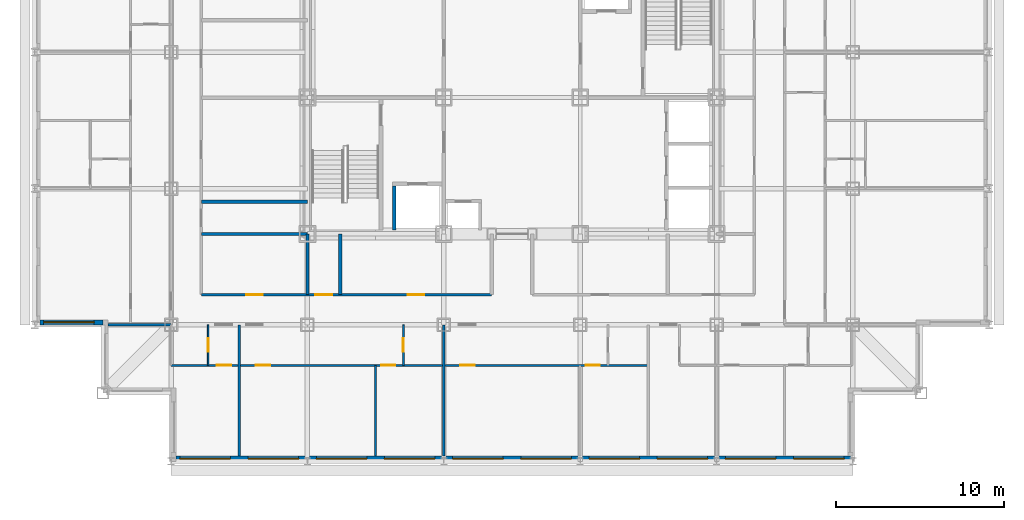
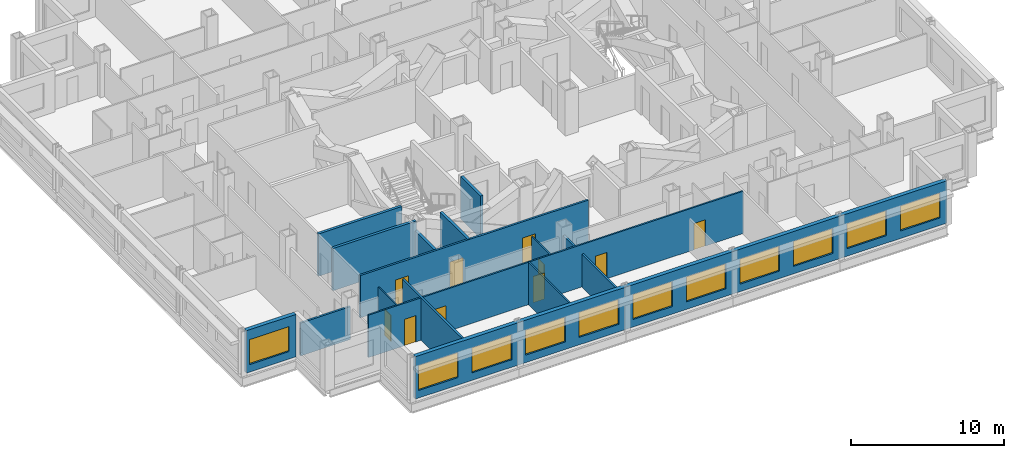
# One storey, part 4 of 12: 15 walls, 11 windows, 10 doors, 21 openings.
"""IFC4 building model written with IfcOpenShell, lengths in metres."""

from ifc_helpers import new_model, si_unit, direction, frame, frame_2d, origin, place, context, subcontext, project, spatial, rectangle, extrude, material, layer, layer_set, type_object, element, fill, save


model = new_model("IFC4")

# Units and contexts
model_context = context("Model", 3, precision=1e-05, world=origin(), true_north=direction((0.0, 1.0)))
body_context = subcontext(model_context, "Body", "Model", "MODEL_VIEW")
ifc_project = project(units=[si_unit("LENGTHUNIT", "METRE"), si_unit("AREAUNIT", "SQUARE_METRE"), si_unit("VOLUMEUNIT", "CUBIC_METRE"), si_unit("PLANEANGLEUNIT", "RADIAN"), si_unit("MASSUNIT", "GRAM", prefix="KILO")], contexts=[model_context])

# Site, building, storey
site_placement = place(None, origin())
site = spatial("IfcSite", under=ifc_project, at=site_placement, CompositionType="ELEMENT")
building_placement = place(site_placement, origin())
building = spatial("IfcBuilding", under=site, at=building_placement, Name="Kopane Lantern Tower", CompositionType="ELEMENT")
storey_placement = place(building_placement, frame((0.0, 0.0, 224.39990234375)))
storey = spatial("IfcBuildingStorey", under=building, at=storey_placement, Name="L58", CompositionType="ELEMENT", Elevation=224.39990234375)

# Wall
ifc_material_1 = material(Name="Gypsum board on steel studs", Category="steel")
ifc_layer_1 = layer(ifc_material_1, 0.1201171875)
ifc_layer_set_1 = layer_set([ifc_layer_1], Name="APARTMENT INTERNAL WALL 120")
wall_type_1 = type_object("IfcWallType", Name="APARTMENT INTERNAL WALL 120", PredefinedType="PARTITIONING", material=ifc_layer_set_1)
wall_1_placement = place(storey_placement, frame((20.25, 16.5, 0.0), z_axis=(0.0, 0.0, 1.0), x_axis=(0.0, -1.0, 0.0)))
element("IfcWall", 1, at=wall_1_placement, inside=storey, type_object=wall_type_1, Name="Apartment Internal Wall 120 L58", PredefinedType="PARTITIONING", context=body_context, shape_type="SweptSolid", body=[
    extrude(rectangle(XDim=5.39990234375, YDim=0.1201171875, at=frame_2d((2.699951171875, 0.0))), origin(), (0.0, 0.0, 1.0), 3.39013671875),
])

# Wall, openings, doors
wall_2_placement = place(storey_placement, frame((8.10009765625, 16.5, 0.0), z_axis=(0.0, 0.0, 1.0), x_axis=(1.0, 0.0, 0.0)))
wall_2 = element("IfcWall", 2, at=wall_2_placement, inside=storey, type_object=wall_type_1, Name="Apartment Internal Wall 120 L58", PredefinedType="PARTITIONING", context=body_context, shape_type="SweptSolid", body=[
    extrude(rectangle(XDim=28.349853515625, YDim=0.1201171875, at=frame_2d((14.1748046875, 0.0))), origin(), (0.0, 0.0, 1.0), 3.39013671875),
])
opening_1_placement = place(wall_2_placement, frame((5.02490234375, 0.0, 0.0)))
opening_1 = element("IfcOpeningElement", 3, at=opening_1_placement, cuts=wall_2, Name="Opening L58-014", PredefinedType="OPENING", context=body_context, shape_type="SweptSolid", body=[
    extrude(rectangle(XDim=0.85009765625, YDim=2.10009765625, at=frame_2d((0.425048828125, 1.050048828125))), frame((0.0, 0.070068359375, 0.0), z_axis=(0.0, -1.0, 0.0), x_axis=(1.0, 0.0, 0.0)), (0.0, 0.0, 1.0), 0.14013671875),
])
opening_2_placement = place(wall_2_placement, frame((12.47509765625, 0.0, 0.0)))
opening_2 = element("IfcOpeningElement", 4, at=opening_2_placement, cuts=wall_2, Name="Opening L58-015", PredefinedType="OPENING", context=body_context, shape_type="SweptSolid", body=[
    extrude(rectangle(XDim=0.85009765625, YDim=2.10009765625, at=frame_2d((0.425048828125, 1.050048828125))), frame((0.0, 0.070068359375, 0.0), z_axis=(0.0, -1.0, 0.0), x_axis=(1.0, 0.0, 0.0)), (0.0, 0.0, 1.0), 0.14013671875),
])
opening_3_placement = place(wall_2_placement, frame((17.175048828125, 0.0, 0.0)))
opening_3 = element("IfcOpeningElement", 5, at=opening_3_placement, cuts=wall_2, Name="Opening L58-018", PredefinedType="OPENING", context=body_context, shape_type="SweptSolid", body=[
    extrude(rectangle(XDim=0.85009765625, YDim=2.10009765625, at=frame_2d((0.425048828125, 1.050048828125))), frame((0.0, 0.070068359375, 0.0), z_axis=(0.0, -1.0, 0.0), x_axis=(1.0, 0.0, 0.0)), (0.0, 0.0, 1.0), 0.14013671875),
])
opening_4_placement = place(wall_2_placement, frame((24.625, 0.0, 0.0)))
opening_4 = element("IfcOpeningElement", 6, at=opening_4_placement, cuts=wall_2, Name="Opening L58-019", PredefinedType="OPENING", context=body_context, shape_type="SweptSolid", body=[
    extrude(rectangle(XDim=0.85009765625, YDim=2.10009765625, at=frame_2d((0.425048828125, 1.050048828125))), frame((0.0, 0.070068359375, 0.0), z_axis=(0.0, -1.0, 0.0), x_axis=(1.0, 0.0, 0.0)), (0.0, 0.0, 1.0), 0.14013671875),
])
opening_5_placement = place(wall_2_placement, frame((2.72509765625, 0.0, 0.0)))
opening_5 = element("IfcOpeningElement", 7, at=opening_5_placement, cuts=wall_2, Name="Opening L58-053", PredefinedType="OPENING", context=body_context, shape_type="SweptSolid", body=[
    extrude(rectangle(XDim=0.85009765625, YDim=2.10009765625, at=frame_2d((0.425048828125, 1.050048828125))), frame((0.0, 0.070068359375, 0.0), z_axis=(0.0, -1.0, 0.0), x_axis=(1.0, 0.0, 0.0)), (0.0, 0.0, 1.0), 0.14013671875),
])
ifc_material_2 = material(Name="Timber door set", Category="wood")
door_type_1 = type_object("IfcDoorType", Name="DOOR D4 850x2100", OperationType="SINGLE_SWING_LEFT", PredefinedType="DOOR", material=ifc_material_2)
door_1_placement = place(opening_1_placement, origin())
door_1 = element("IfcDoor", 8, at=door_1_placement, inside=storey, type_object=door_type_1, Name="Door L58-014", OperationType="SINGLE_SWING_LEFT", OverallHeight=2.10009765625, OverallWidth=0.85009765625, PredefinedType="DOOR", context=body_context, shape_type="SweptSolid", body=[
    extrude(rectangle(XDim=0.85009765625, YDim=2.10009765625, at=frame_2d((0.425048828125, 1.050048828125))), frame((0.0, 0.02490234375, 0.0), z_axis=(0.0, -1.0, 0.0), x_axis=(1.0, 0.0, 0.0)), (0.0, 0.0, 1.0), 0.050048828125),
])
fill(opening_1, door_1)
door_2_placement = place(opening_2_placement, origin())
door_2 = element("IfcDoor", 9, at=door_2_placement, inside=storey, type_object=door_type_1, Name="Door L58-015", OperationType="SINGLE_SWING_RIGHT", OverallHeight=2.10009765625, OverallWidth=0.85009765625, PredefinedType="DOOR", context=body_context, shape_type="SweptSolid", body=[
    extrude(rectangle(XDim=0.85009765625, YDim=2.10009765625, at=frame_2d((0.425048828125, 1.050048828125))), frame((0.0, 0.02490234375, 0.0), z_axis=(0.0, -1.0, 0.0), x_axis=(1.0, 0.0, 0.0)), (0.0, 0.0, 1.0), 0.050048828125),
])
fill(opening_2, door_2)
door_3_placement = place(opening_3_placement, origin())
door_3 = element("IfcDoor", 10, at=door_3_placement, inside=storey, type_object=door_type_1, Name="Door L58-018", OperationType="SINGLE_SWING_RIGHT", OverallHeight=2.10009765625, OverallWidth=0.85009765625, PredefinedType="DOOR", context=body_context, shape_type="SweptSolid", body=[
    extrude(rectangle(XDim=0.85009765625, YDim=2.10009765625, at=frame_2d((0.425048828125, 1.050048828125))), frame((0.0, 0.02490234375, 0.0), z_axis=(0.0, -1.0, 0.0), x_axis=(1.0, 0.0, 0.0)), (0.0, 0.0, 1.0), 0.050048828125),
])
fill(opening_3, door_3)
door_4_placement = place(opening_4_placement, origin())
door_4 = element("IfcDoor", 11, at=door_4_placement, inside=storey, type_object=door_type_1, Name="Door L58-019", OperationType="SINGLE_SWING_RIGHT", OverallHeight=2.10009765625, OverallWidth=0.85009765625, PredefinedType="DOOR", context=body_context, shape_type="SweptSolid", body=[
    extrude(rectangle(XDim=0.85009765625, YDim=2.10009765625, at=frame_2d((0.425048828125, 1.050048828125))), frame((0.0, 0.02490234375, 0.0), z_axis=(0.0, -1.0, 0.0), x_axis=(1.0, 0.0, 0.0)), (0.0, 0.0, 1.0), 0.050048828125),
])
fill(opening_4, door_4)
door_5_placement = place(opening_5_placement, origin())
door_5 = element("IfcDoor", 12, at=door_5_placement, inside=storey, type_object=door_type_1, Name="Door L58-053", OperationType="SINGLE_SWING_LEFT", OverallHeight=2.10009765625, OverallWidth=0.85009765625, PredefinedType="DOOR", context=body_context, shape_type="SweptSolid", body=[
    extrude(rectangle(XDim=0.85009765625, YDim=2.10009765625, at=frame_2d((0.425048828125, 1.050048828125))), frame((0.0, 0.02490234375, 0.0), z_axis=(0.0, -1.0, 0.0), x_axis=(1.0, 0.0, 0.0)), (0.0, 0.0, 1.0), 0.050048828125),
])
fill(opening_5, door_5)

# Wall, opening, door
ifc_material_3 = material(Name="Moisture-resistant board on steel studs", Category="steel")
ifc_layer_2 = layer(ifc_material_3, 0.10009765625)
ifc_layer_set_2 = layer_set([ifc_layer_2], Name="BATHROOM WALL 100")
wall_type_2 = type_object("IfcWallType", Name="BATHROOM WALL 100", PredefinedType="PARTITIONING", material=ifc_layer_set_2)
wall_3_placement = place(storey_placement, frame((21.89990234375, 18.89990234375, 0.0), z_axis=(0.0, 0.0, 1.0), x_axis=(0.0, -1.0, 0.0)))
wall_3 = element("IfcWall", 13, at=wall_3_placement, inside=storey, type_object=wall_type_2, Name="Bathroom Wall 100 L58", PredefinedType="PARTITIONING", context=body_context, shape_type="SweptSolid", body=[
    extrude(rectangle(XDim=2.39990234375, YDim=0.10009765625, at=frame_2d((1.199951171875, 0.0))), origin(), (0.0, 0.0, 1.0), 3.39013671875),
])
opening_6_placement = place(wall_3_placement, frame((0.800048828125, 0.0, 0.0)))
opening_6 = element("IfcOpeningElement", 14, at=opening_6_placement, cuts=wall_3, Name="Opening L58-012", PredefinedType="OPENING", context=body_context, shape_type="SweptSolid", body=[
    extrude(rectangle(XDim=0.800048828125, YDim=2.10009765625, at=frame_2d((0.39990234375, 1.050048828125))), frame((0.0, 0.06005859375, 0.0), z_axis=(0.0, -1.0, 0.0), x_axis=(1.0, 0.0, 0.0)), (0.0, 0.0, 1.0), 0.1201171875),
])
ifc_material_4 = material(Name="Timber door set", Category="wood")
door_type_2 = type_object("IfcDoorType", Name="DOOR D2 800x2100", OperationType="SINGLE_SWING_LEFT", PredefinedType="DOOR", material=ifc_material_4)
door_6_placement = place(opening_6_placement, origin())
door_6 = element("IfcDoor", 15, at=door_6_placement, inside=storey, type_object=door_type_2, Name="Door L58-012", OperationType="SINGLE_SWING_LEFT", OverallHeight=2.10009765625, OverallWidth=0.800048828125, PredefinedType="DOOR", context=body_context, shape_type="SweptSolid", body=[
    extrude(rectangle(XDim=0.800048828125, YDim=2.10009765625, at=frame_2d((0.39990234375, 1.050048828125))), frame((0.0, 0.02490234375, 0.0), z_axis=(0.0, -1.0, 0.0), x_axis=(1.0, 0.0, 0.0)), (0.0, 0.0, 1.0), 0.050048828125),
])
fill(opening_6, door_6)

wall_4_placement = place(storey_placement, frame((10.300048828125, 18.89990234375, 0.0), z_axis=(0.0, 0.0, 1.0), x_axis=(0.0, -1.0, 0.0)))
wall_4 = element("IfcWall", 16, at=wall_4_placement, inside=storey, type_object=wall_type_2, Name="Bathroom Wall 100 L58", PredefinedType="PARTITIONING", context=body_context, shape_type="SweptSolid", body=[
    extrude(rectangle(XDim=2.39990234375, YDim=0.10009765625, at=frame_2d((1.199951171875, 0.0))), origin(), (0.0, 0.0, 1.0), 3.39013671875),
])
opening_7_placement = place(wall_4_placement, frame((0.800048828125, 0.0, 0.0)))
opening_7 = element("IfcOpeningElement", 17, at=opening_7_placement, cuts=wall_4, Name="Opening L58-051", PredefinedType="OPENING", context=body_context, shape_type="SweptSolid", body=[
    extrude(rectangle(XDim=0.800048828125, YDim=2.10009765625, at=frame_2d((0.39990234375, 1.050048828125))), frame((0.0, 0.06005859375, 0.0), z_axis=(0.0, -1.0, 0.0), x_axis=(1.0, 0.0, 0.0)), (0.0, 0.0, 1.0), 0.1201171875),
])
door_7_placement = place(opening_7_placement, origin())
door_7 = element("IfcDoor", 18, at=door_7_placement, inside=storey, type_object=door_type_2, Name="Door L58-051", OperationType="SINGLE_SWING_RIGHT", OverallHeight=2.10009765625, OverallWidth=0.800048828125, PredefinedType="DOOR", context=body_context, shape_type="SweptSolid", body=[
    extrude(rectangle(XDim=0.800048828125, YDim=2.10009765625, at=frame_2d((0.39990234375, 1.050048828125))), frame((0.0, 0.02490234375, 0.0), z_axis=(0.0, -1.0, 0.0), x_axis=(1.0, 0.0, 0.0)), (0.0, 0.0, 1.0), 0.050048828125),
])
fill(opening_7, door_7)

# Wall, openings, doors
ifc_material_5 = material(Name="Gypsum board on steel studs", Category="steel")
ifc_layer_3 = layer(ifc_material_5, 0.14990234375)
ifc_layer_set_3 = layer_set([ifc_layer_3], Name="CORRIDOR WALL 150 EI 60")
wall_type_3 = type_object("IfcWallType", Name="CORRIDOR WALL 150 EI 60", PredefinedType="PARTITIONING", material=ifc_layer_set_3)
wall_5_placement = place(storey_placement, frame((9.89990234375, 20.699951171875, 0.0), z_axis=(0.0, 0.0, 1.0), x_axis=(1.0, 0.0, 0.0)))
wall_5 = element("IfcWall", 19, at=wall_5_placement, inside=storey, type_object=wall_type_3, Name="Corridor Wall 150 Ei 60 L58", PredefinedType="PARTITIONING", context=body_context, shape_type="SweptSolid", body=[
    extrude(rectangle(XDim=17.239990234375, YDim=0.14990234375, at=frame_2d((8.6201171875, 0.0))), origin(), (0.0, 0.0, 1.0), 3.39013671875),
])
opening_8_placement = place(wall_5_placement, frame((2.64990234375, 0.0, 0.0)))
opening_8 = element("IfcOpeningElement", 20, at=opening_8_placement, cuts=wall_5, Name="Opening L58-007", PredefinedType="OPENING", context=body_context, shape_type="SweptSolid", body=[
    extrude(rectangle(XDim=1.0, YDim=2.10009765625, at=frame_2d((0.5, 1.050048828125))), frame((0.0, 0.0849609375, 0.0), z_axis=(0.0, -1.0, 0.0), x_axis=(1.0, 0.0, 0.0)), (0.0, 0.0, 1.0), 0.169921875),
])
opening_9_placement = place(wall_5_placement, frame((6.772216796875, 0.0, 0.0)))
opening_9 = element("IfcOpeningElement", 21, at=opening_9_placement, cuts=wall_5, Name="Opening L58-008", PredefinedType="OPENING", context=body_context, shape_type="SweptSolid", body=[
    extrude(rectangle(XDim=1.0, YDim=2.10009765625, at=frame_2d((0.5, 1.050048828125))), frame((0.0, 0.0849609375, 0.0), z_axis=(0.0, -1.0, 0.0), x_axis=(1.0, 0.0, 0.0)), (0.0, 0.0, 1.0), 0.169921875),
])
opening_10_placement = place(wall_5_placement, frame((12.247314453125, 0.0, 0.0)))
opening_10 = element("IfcOpeningElement", 22, at=opening_10_placement, cuts=wall_5, Name="Opening L58-009", PredefinedType="OPENING", context=body_context, shape_type="SweptSolid", body=[
    extrude(rectangle(XDim=1.0, YDim=2.10009765625, at=frame_2d((0.5, 1.050048828125))), frame((0.0, 0.0849609375, 0.0), z_axis=(0.0, -1.0, 0.0), x_axis=(1.0, 0.0, 0.0)), (0.0, 0.0, 1.0), 0.169921875),
])
ifc_material_6 = material(Name="Steel door set", Category="steel")
door_type_3 = type_object("IfcDoorType", Name="DOOR D5 1000x2100 FD60", OperationType="SINGLE_SWING_LEFT", PredefinedType="DOOR", material=ifc_material_6)
door_8_placement = place(opening_8_placement, origin())
door_8 = element("IfcDoor", 23, at=door_8_placement, inside=storey, type_object=door_type_3, Name="Door L58-007", OperationType="SINGLE_SWING_LEFT", OverallHeight=2.10009765625, OverallWidth=1.0, PredefinedType="DOOR", context=body_context, shape_type="SweptSolid", body=[
    extrude(rectangle(XDim=1.0, YDim=2.10009765625, at=frame_2d((0.5, 1.050048828125))), frame((0.0, 0.02490234375, 0.0), z_axis=(0.0, -1.0, 0.0), x_axis=(1.0, 0.0, 0.0)), (0.0, 0.0, 1.0), 0.050048828125),
])
fill(opening_8, door_8)
door_9_placement = place(opening_9_placement, origin())
door_9 = element("IfcDoor", 24, at=door_9_placement, inside=storey, type_object=door_type_3, Name="Door L58-008", OperationType="SINGLE_SWING_RIGHT", OverallHeight=2.10009765625, OverallWidth=1.0, PredefinedType="DOOR", context=body_context, shape_type="SweptSolid", body=[
    extrude(rectangle(XDim=1.0, YDim=2.10009765625, at=frame_2d((0.5, 1.050048828125))), frame((0.0, 0.02490234375, 0.0), z_axis=(0.0, -1.0, 0.0), x_axis=(1.0, 0.0, 0.0)), (0.0, 0.0, 1.0), 0.050048828125),
])
fill(opening_9, door_9)
door_10_placement = place(opening_10_placement, origin())
door_10 = element("IfcDoor", 25, at=door_10_placement, inside=storey, type_object=door_type_3, Name="Door L58-009", OperationType="SINGLE_SWING_LEFT", OverallHeight=2.10009765625, OverallWidth=1.0, PredefinedType="DOOR", context=body_context, shape_type="SweptSolid", body=[
    extrude(rectangle(XDim=1.0, YDim=2.10009765625, at=frame_2d((0.5, 1.050048828125))), frame((0.0, 0.02490234375, 0.0), z_axis=(0.0, -1.0, 0.0), x_axis=(1.0, 0.0, 0.0)), (0.0, 0.0, 1.0), 0.050048828125),
])
fill(opening_10, door_10)

# Walls
ifc_material_7 = material(Name="Gypsum board on steel studs", Category="steel")
ifc_layer_4 = layer(ifc_material_7, 0.14990234375)
ifc_layer_set_4 = layer_set([ifc_layer_4], Name="DEMISING WALL 150 EI 60")
wall_type_4 = type_object("IfcWallType", Name="DEMISING WALL 150 EI 60", PredefinedType="PARTITIONING", material=ifc_layer_set_4)
wall_6_placement = place(storey_placement, frame((24.300048828125, 18.89990234375, 0.0), z_axis=(0.0, 0.0, 1.0), x_axis=(0.0, -1.0, 0.0)))
element("IfcWall", 26, at=wall_6_placement, inside=storey, type_object=wall_type_4, Name="Demising Wall 150 Ei 60 L58", PredefinedType="PARTITIONING", context=body_context, shape_type="SweptSolid", body=[
    extrude(rectangle(XDim=7.7998046875, YDim=0.14990234375, at=frame_2d((3.89990234375, 0.0))), origin(), (0.0, 0.0, 1.0), 2.6279296875),
])
wall_7_placement = place(storey_placement, frame((4.35009765625, 18.89990234375, 0.0), z_axis=(0.0, 0.0, 1.0), x_axis=(1.0, 0.0, 0.0)))
element("IfcWall", 27, at=wall_7_placement, inside=storey, type_object=wall_type_4, Name="Demising Wall 150 Ei 60 L58", PredefinedType="PARTITIONING", context=body_context, shape_type="SweptSolid", body=[
    extrude(rectangle(XDim=3.75, YDim=0.14990234375, at=frame_2d((1.875, 0.0))), origin(), (0.0, 0.0, 1.0), 2.6279296875),
])
wall_8_placement = place(storey_placement, frame((12.14990234375, 18.89990234375, 0.0), z_axis=(0.0, 0.0, 1.0), x_axis=(0.0, -1.0, 0.0)))
element("IfcWall", 28, at=wall_8_placement, inside=storey, type_object=wall_type_4, Name="Demising Wall 150 Ei 60 L58", PredefinedType="PARTITIONING", context=body_context, shape_type="SweptSolid", body=[
    extrude(rectangle(XDim=7.7998046875, YDim=0.14990234375, at=frame_2d((3.89990234375, 0.0))), origin(), (0.0, 0.0, 1.0), 3.39013671875),
])

# Wall, openings, windows
ifc_material_8 = material(Name="Terracotta rainscreen on light steel framing", Category="masonry")
ifc_layer_5 = layer(ifc_material_8, 0.300048828125)
ifc_layer_set_5 = layer_set([ifc_layer_5], Name="EXTERNAL WALL EW1 300 TERRACOTTA")
wall_type_5 = type_object("IfcWallType", Name="EXTERNAL WALL EW1 300 TERRACOTTA", PredefinedType="SOLIDWALL", material=ifc_layer_set_5)
wall_9_placement = place(storey_placement, frame((8.39990234375, 10.949951171875, 0.0), z_axis=(0.0, 0.0, 1.0), x_axis=(1.0, 0.0, 0.0)))
wall_9 = element("IfcWall", 29, at=wall_9_placement, inside=storey, type_object=wall_type_5, Name="External wall S L58", PredefinedType="SOLIDWALL", context=body_context, shape_type="SweptSolid", body=[
    extrude(rectangle(XDim=40.2001953125, YDim=0.300048828125, at=frame_2d((20.10009765625, 0.0))), origin(), (0.0, 0.0, 1.0), 3.39013671875),
])
opening_11_placement = place(wall_9_placement, frame((0.22509765625, 0.0, 0.60009765625)))
opening_11 = element("IfcOpeningElement", 30, at=opening_11_placement, cuts=wall_9, Name="Opening WR300200", PredefinedType="OPENING", context=body_context, shape_type="SweptSolid", body=[
    extrude(rectangle(XDim=3.0, YDim=2.0, at=frame_2d((1.5, 1.0))), frame((0.0, 0.159912109375, 0.0), z_axis=(0.0, -1.0, 0.0), x_axis=(1.0, 0.0, 0.0)), (0.0, 0.0, 1.0), 0.320068359375),
])
opening_12_placement = place(wall_9_placement, frame((4.27490234375, 0.0, 0.60009765625)))
opening_12 = element("IfcOpeningElement", 31, at=opening_12_placement, cuts=wall_9, Name="Opening WR300200", PredefinedType="OPENING", context=body_context, shape_type="SweptSolid", body=[
    extrude(rectangle(XDim=3.0, YDim=2.0, at=frame_2d((1.5, 1.0))), frame((0.0, 0.159912109375, 0.0), z_axis=(0.0, -1.0, 0.0), x_axis=(1.0, 0.0, 0.0)), (0.0, 0.0, 1.0), 0.320068359375),
])
opening_13_placement = place(wall_9_placement, frame((8.324951171875, 0.0, 0.60009765625)))
opening_13 = element("IfcOpeningElement", 32, at=opening_13_placement, cuts=wall_9, Name="Opening WR300200", PredefinedType="OPENING", context=body_context, shape_type="SweptSolid", body=[
    extrude(rectangle(XDim=3.0, YDim=2.0, at=frame_2d((1.5, 1.0))), frame((0.0, 0.159912109375, 0.0), z_axis=(0.0, -1.0, 0.0), x_axis=(1.0, 0.0, 0.0)), (0.0, 0.0, 1.0), 0.320068359375),
])
opening_14_placement = place(wall_9_placement, frame((12.375, 0.0, 0.60009765625)))
opening_14 = element("IfcOpeningElement", 33, at=opening_14_placement, cuts=wall_9, Name="Opening WR300200", PredefinedType="OPENING", context=body_context, shape_type="SweptSolid", body=[
    extrude(rectangle(XDim=3.0, YDim=2.0, at=frame_2d((1.5, 1.0))), frame((0.0, 0.159912109375, 0.0), z_axis=(0.0, -1.0, 0.0), x_axis=(1.0, 0.0, 0.0)), (0.0, 0.0, 1.0), 0.320068359375),
])
opening_15_placement = place(wall_9_placement, frame((16.425048828125, 0.0, 0.60009765625)))
opening_15 = element("IfcOpeningElement", 34, at=opening_15_placement, cuts=wall_9, Name="Opening WR300200", PredefinedType="OPENING", context=body_context, shape_type="SweptSolid", body=[
    extrude(rectangle(XDim=3.0, YDim=2.0, at=frame_2d((1.5, 1.0))), frame((0.0, 0.159912109375, 0.0), z_axis=(0.0, -1.0, 0.0), x_axis=(1.0, 0.0, 0.0)), (0.0, 0.0, 1.0), 0.320068359375),
])
opening_16_placement = place(wall_9_placement, frame((20.47509765625, 0.0, 0.60009765625)))
opening_16 = element("IfcOpeningElement", 35, at=opening_16_placement, cuts=wall_9, Name="Opening WR300200", PredefinedType="OPENING", context=body_context, shape_type="SweptSolid", body=[
    extrude(rectangle(XDim=3.0, YDim=2.0, at=frame_2d((1.5, 1.0))), frame((0.0, 0.159912109375, 0.0), z_axis=(0.0, -1.0, 0.0), x_axis=(1.0, 0.0, 0.0)), (0.0, 0.0, 1.0), 0.320068359375),
])
opening_17_placement = place(wall_9_placement, frame((24.52490234375, 0.0, 0.60009765625)))
opening_17 = element("IfcOpeningElement", 36, at=opening_17_placement, cuts=wall_9, Name="Opening WR300200", PredefinedType="OPENING", context=body_context, shape_type="SweptSolid", body=[
    extrude(rectangle(XDim=3.0, YDim=2.0, at=frame_2d((1.5, 1.0))), frame((0.0, 0.159912109375, 0.0), z_axis=(0.0, -1.0, 0.0), x_axis=(1.0, 0.0, 0.0)), (0.0, 0.0, 1.0), 0.320068359375),
])
opening_18_placement = place(wall_9_placement, frame((28.574951171875, 0.0, 0.60009765625)))
opening_18 = element("IfcOpeningElement", 37, at=opening_18_placement, cuts=wall_9, Name="Opening WR300200", PredefinedType="OPENING", context=body_context, shape_type="SweptSolid", body=[
    extrude(rectangle(XDim=3.0, YDim=2.0, at=frame_2d((1.5, 1.0))), frame((0.0, 0.159912109375, 0.0), z_axis=(0.0, -1.0, 0.0), x_axis=(1.0, 0.0, 0.0)), (0.0, 0.0, 1.0), 0.320068359375),
])
opening_19_placement = place(wall_9_placement, frame((32.625, 0.0, 0.60009765625)))
opening_19 = element("IfcOpeningElement", 38, at=opening_19_placement, cuts=wall_9, Name="Opening WR300200", PredefinedType="OPENING", context=body_context, shape_type="SweptSolid", body=[
    extrude(rectangle(XDim=3.0, YDim=2.0, at=frame_2d((1.5, 1.0))), frame((0.0, 0.159912109375, 0.0), z_axis=(0.0, -1.0, 0.0), x_axis=(1.0, 0.0, 0.0)), (0.0, 0.0, 1.0), 0.320068359375),
])
opening_20_placement = place(wall_9_placement, frame((36.675048828125, 0.0, 0.60009765625)))
opening_20 = element("IfcOpeningElement", 39, at=opening_20_placement, cuts=wall_9, Name="Opening WR300200", PredefinedType="OPENING", context=body_context, shape_type="SweptSolid", body=[
    extrude(rectangle(XDim=3.0, YDim=2.0, at=frame_2d((1.5, 1.0))), frame((0.0, 0.159912109375, 0.0), z_axis=(0.0, -1.0, 0.0), x_axis=(1.0, 0.0, 0.0)), (0.0, 0.0, 1.0), 0.320068359375),
])
ifc_material_9 = material(Name="Aluminium and clear glass", Category="aluminium")
window_type = type_object("IfcWindowType", Name="RIBBON WINDOW WR300200 3000x2000", PartitioningType="SINGLE_PANEL", PredefinedType="WINDOW", material=ifc_material_9)
window_1_placement = place(opening_11_placement, origin())
window_1 = element("IfcWindow", 40, at=window_1_placement, inside=storey, type_object=window_type, Name="Window S L58", OverallHeight=2.0, OverallWidth=3.0, PartitioningType="SINGLE_PANEL", PredefinedType="WINDOW", context=body_context, shape_type="SweptSolid", body=[
    extrude(rectangle(XDim=3.0, YDim=2.0, at=frame_2d((1.5, 1.0))), frame((0.0, 0.030029296875, 0.0), z_axis=(0.0, -1.0, 0.0), x_axis=(1.0, 0.0, 0.0)), (0.0, 0.0, 1.0), 0.06005859375),
])
fill(opening_11, window_1)
window_2_placement = place(opening_12_placement, origin())
window_2 = element("IfcWindow", 41, at=window_2_placement, inside=storey, type_object=window_type, Name="Window S L58", OverallHeight=2.0, OverallWidth=3.0, PartitioningType="SINGLE_PANEL", PredefinedType="WINDOW", context=body_context, shape_type="SweptSolid", body=[
    extrude(rectangle(XDim=3.0, YDim=2.0, at=frame_2d((1.5, 1.0))), frame((0.0, 0.030029296875, 0.0), z_axis=(0.0, -1.0, 0.0), x_axis=(1.0, 0.0, 0.0)), (0.0, 0.0, 1.0), 0.06005859375),
])
fill(opening_12, window_2)
window_3_placement = place(opening_13_placement, origin())
window_3 = element("IfcWindow", 42, at=window_3_placement, inside=storey, type_object=window_type, Name="Window S L58", OverallHeight=2.0, OverallWidth=3.0, PartitioningType="SINGLE_PANEL", PredefinedType="WINDOW", context=body_context, shape_type="SweptSolid", body=[
    extrude(rectangle(XDim=3.0, YDim=2.0, at=frame_2d((1.5, 1.0))), frame((0.0, 0.030029296875, 0.0), z_axis=(0.0, -1.0, 0.0), x_axis=(1.0, 0.0, 0.0)), (0.0, 0.0, 1.0), 0.06005859375),
])
fill(opening_13, window_3)
window_4_placement = place(opening_14_placement, origin())
window_4 = element("IfcWindow", 43, at=window_4_placement, inside=storey, type_object=window_type, Name="Window S L58", OverallHeight=2.0, OverallWidth=3.0, PartitioningType="SINGLE_PANEL", PredefinedType="WINDOW", context=body_context, shape_type="SweptSolid", body=[
    extrude(rectangle(XDim=3.0, YDim=2.0, at=frame_2d((1.5, 1.0))), frame((0.0, 0.030029296875, 0.0), z_axis=(0.0, -1.0, 0.0), x_axis=(1.0, 0.0, 0.0)), (0.0, 0.0, 1.0), 0.06005859375),
])
fill(opening_14, window_4)
window_5_placement = place(opening_15_placement, origin())
window_5 = element("IfcWindow", 44, at=window_5_placement, inside=storey, type_object=window_type, Name="Window S L58", OverallHeight=2.0, OverallWidth=3.0, PartitioningType="SINGLE_PANEL", PredefinedType="WINDOW", context=body_context, shape_type="SweptSolid", body=[
    extrude(rectangle(XDim=3.0, YDim=2.0, at=frame_2d((1.5, 1.0))), frame((0.0, 0.030029296875, 0.0), z_axis=(0.0, -1.0, 0.0), x_axis=(1.0, 0.0, 0.0)), (0.0, 0.0, 1.0), 0.06005859375),
])
fill(opening_15, window_5)
window_6_placement = place(opening_16_placement, origin())
window_6 = element("IfcWindow", 45, at=window_6_placement, inside=storey, type_object=window_type, Name="Window S L58", OverallHeight=2.0, OverallWidth=3.0, PartitioningType="SINGLE_PANEL", PredefinedType="WINDOW", context=body_context, shape_type="SweptSolid", body=[
    extrude(rectangle(XDim=3.0, YDim=2.0, at=frame_2d((1.5, 1.0))), frame((0.0, 0.030029296875, 0.0), z_axis=(0.0, -1.0, 0.0), x_axis=(1.0, 0.0, 0.0)), (0.0, 0.0, 1.0), 0.06005859375),
])
fill(opening_16, window_6)
window_7_placement = place(opening_17_placement, origin())
window_7 = element("IfcWindow", 46, at=window_7_placement, inside=storey, type_object=window_type, Name="Window S L58", OverallHeight=2.0, OverallWidth=3.0, PartitioningType="SINGLE_PANEL", PredefinedType="WINDOW", context=body_context, shape_type="SweptSolid", body=[
    extrude(rectangle(XDim=3.0, YDim=2.0, at=frame_2d((1.5, 1.0))), frame((0.0, 0.030029296875, 0.0), z_axis=(0.0, -1.0, 0.0), x_axis=(1.0, 0.0, 0.0)), (0.0, 0.0, 1.0), 0.06005859375),
])
fill(opening_17, window_7)
window_8_placement = place(opening_18_placement, origin())
window_8 = element("IfcWindow", 47, at=window_8_placement, inside=storey, type_object=window_type, Name="Window S L58", OverallHeight=2.0, OverallWidth=3.0, PartitioningType="SINGLE_PANEL", PredefinedType="WINDOW", context=body_context, shape_type="SweptSolid", body=[
    extrude(rectangle(XDim=3.0, YDim=2.0, at=frame_2d((1.5, 1.0))), frame((0.0, 0.030029296875, 0.0), z_axis=(0.0, -1.0, 0.0), x_axis=(1.0, 0.0, 0.0)), (0.0, 0.0, 1.0), 0.06005859375),
])
fill(opening_18, window_8)
window_9_placement = place(opening_19_placement, origin())
window_9 = element("IfcWindow", 48, at=window_9_placement, inside=storey, type_object=window_type, Name="Window S L58", OverallHeight=2.0, OverallWidth=3.0, PartitioningType="SINGLE_PANEL", PredefinedType="WINDOW", context=body_context, shape_type="SweptSolid", body=[
    extrude(rectangle(XDim=3.0, YDim=2.0, at=frame_2d((1.5, 1.0))), frame((0.0, 0.030029296875, 0.0), z_axis=(0.0, -1.0, 0.0), x_axis=(1.0, 0.0, 0.0)), (0.0, 0.0, 1.0), 0.06005859375),
])
fill(opening_19, window_9)
window_10_placement = place(opening_20_placement, origin())
window_10 = element("IfcWindow", 49, at=window_10_placement, inside=storey, type_object=window_type, Name="Window S L58", OverallHeight=2.0, OverallWidth=3.0, PartitioningType="SINGLE_PANEL", PredefinedType="WINDOW", context=body_context, shape_type="SweptSolid", body=[
    extrude(rectangle(XDim=3.0, YDim=2.0, at=frame_2d((1.5, 1.0))), frame((0.0, 0.030029296875, 0.0), z_axis=(0.0, -1.0, 0.0), x_axis=(1.0, 0.0, 0.0)), (0.0, 0.0, 1.0), 0.06005859375),
])
fill(opening_20, window_10)

# Wall, opening, window
wall_10_placement = place(storey_placement, frame((0.300048828125, 19.050048828125, 0.0), z_axis=(0.0, 0.0, 1.0), x_axis=(1.0, 0.0, 0.0)))
wall_10 = element("IfcWall", 50, at=wall_10_placement, inside=storey, type_object=wall_type_5, Name="External wall S L58", PredefinedType="SOLIDWALL", context=body_context, shape_type="SweptSolid", body=[
    extrude(rectangle(XDim=3.75, YDim=0.300048828125, at=frame_2d((1.875, 0.0))), origin(), (0.0, 0.0, 1.0), 3.39013671875),
])
opening_21_placement = place(wall_10_placement, frame((0.22509765625, 0.0, 0.60009765625)))
opening_21 = element("IfcOpeningElement", 51, at=opening_21_placement, cuts=wall_10, Name="Opening WR300200", PredefinedType="OPENING", context=body_context, shape_type="SweptSolid", body=[
    extrude(rectangle(XDim=3.0, YDim=2.0, at=frame_2d((1.5, 1.0))), frame((0.0, 0.159912109375, 0.0), z_axis=(0.0, -1.0, 0.0), x_axis=(1.0, 0.0, 0.0)), (0.0, 0.0, 1.0), 0.320068359375),
])
window_11_placement = place(opening_21_placement, origin())
window_11 = element("IfcWindow", 52, at=window_11_placement, inside=storey, type_object=window_type, Name="Window S L58", OverallHeight=2.0, OverallWidth=3.0, PartitioningType="SINGLE_PANEL", PredefinedType="WINDOW", context=body_context, shape_type="SweptSolid", body=[
    extrude(rectangle(XDim=3.0, YDim=2.0, at=frame_2d((1.5, 1.0))), frame((0.0, 0.030029296875, 0.0), z_axis=(0.0, -1.0, 0.0), x_axis=(1.0, 0.0, 0.0)), (0.0, 0.0, 1.0), 0.06005859375),
])
fill(opening_21, window_11)

# Walls
ifc_material_10 = material(Name="Concrete masonry", Category="masonry")
ifc_layer_6 = layer(ifc_material_10, 0.199951171875)
ifc_layer_set_6 = layer_set([ifc_layer_6], Name="PLANT ROOM WALL 200 EI 120")
wall_type_6 = type_object("IfcWallType", Name="PLANT ROOM WALL 200 EI 120", PredefinedType="SOLIDWALL", material=ifc_layer_set_6)
wall_11_placement = place(storey_placement, frame((9.89990234375, 26.204833984375, 0.0), z_axis=(0.0, 0.0, 1.0), x_axis=(1.0, 0.0, 0.0)))
element("IfcWall", 53, at=wall_11_placement, inside=storey, type_object=wall_type_6, Name="Plant Room Wall 200 Ei 120 L58", PredefinedType="SOLIDWALL", context=body_context, shape_type="SweptSolid", body=[
    extrude(rectangle(XDim=6.300048828125, YDim=0.199951171875, at=frame_2d((3.14990234375, 0.0))), origin(), (0.0, 0.0, 1.0), 3.39013671875),
])
wall_12_placement = place(storey_placement, frame((16.199951171875, 20.699951171875, 0.0), z_axis=(0.0, 0.0, 1.0), x_axis=(0.0, 1.0, 0.0)))
element("IfcWall", 54, at=wall_12_placement, inside=storey, type_object=wall_type_6, Name="Plant Room Wall 200 Ei 120 L58", PredefinedType="SOLIDWALL", context=body_context, shape_type="SweptSolid", body=[
    extrude(rectangle(XDim=3.60009765625, YDim=0.199951171875, at=frame_2d((1.800048828125, 0.0))), origin(), (0.0, 0.0, 1.0), 2.6279296875),
])
wall_13_placement = place(storey_placement, frame((18.144287109375, 20.699951171875, 0.0), z_axis=(0.0, 0.0, 1.0), x_axis=(0.0, 1.0, 0.0)))
element("IfcWall", 55, at=wall_13_placement, inside=storey, type_object=wall_type_6, Name="Plant Room Wall 200 Ei 120 L58", PredefinedType="SOLIDWALL", context=body_context, shape_type="SweptSolid", body=[
    extrude(rectangle(XDim=3.60009765625, YDim=0.199951171875, at=frame_2d((1.800048828125, 0.0))), origin(), (0.0, 0.0, 1.0), 3.39013671875),
])
wall_14_placement = place(storey_placement, frame((9.89990234375, 24.300048828125, 0.0), z_axis=(0.0, 0.0, 1.0), x_axis=(1.0, 0.0, 0.0)))
element("IfcWall", 56, at=wall_14_placement, inside=storey, type_object=wall_type_6, Name="Plant Room Wall 200 Ei 120 L58", PredefinedType="SOLIDWALL", context=body_context, shape_type="SweptSolid", body=[
    extrude(rectangle(XDim=6.300048828125, YDim=0.199951171875, at=frame_2d((3.14990234375, 0.0))), origin(), (0.0, 0.0, 1.0), 3.39013671875),
])
ifc_material_11 = material(Name="Gypsum shaft wall EI 120", Category="gypsum")
ifc_layer_7 = layer(ifc_material_11, 0.199951171875)
ifc_layer_set_7 = layer_set([ifc_layer_7], Name="SHAFT WALL 200 EI 120")
wall_type_7 = type_object("IfcWallType", Name="SHAFT WALL 200 EI 120", PredefinedType="SOLIDWALL", material=ifc_layer_set_7)
wall_15_placement = place(storey_placement, frame((21.35009765625, 24.550048828125, 0.0), z_axis=(0.0, 0.0, 1.0), x_axis=(0.0, 1.0, 0.0)))
element("IfcWall", 57, at=wall_15_placement, inside=storey, type_object=wall_type_7, Name="Core shaft wall L58 XLF1", PredefinedType="SOLIDWALL", context=body_context, shape_type="SweptSolid", body=[
    extrude(rectangle(XDim=2.599853515625, YDim=0.199951171875, at=frame_2d((1.2998046875, 0.0))), origin(), (0.0, 0.0, 1.0), 3.39013671875),
])

save(model, "model.ifc")
